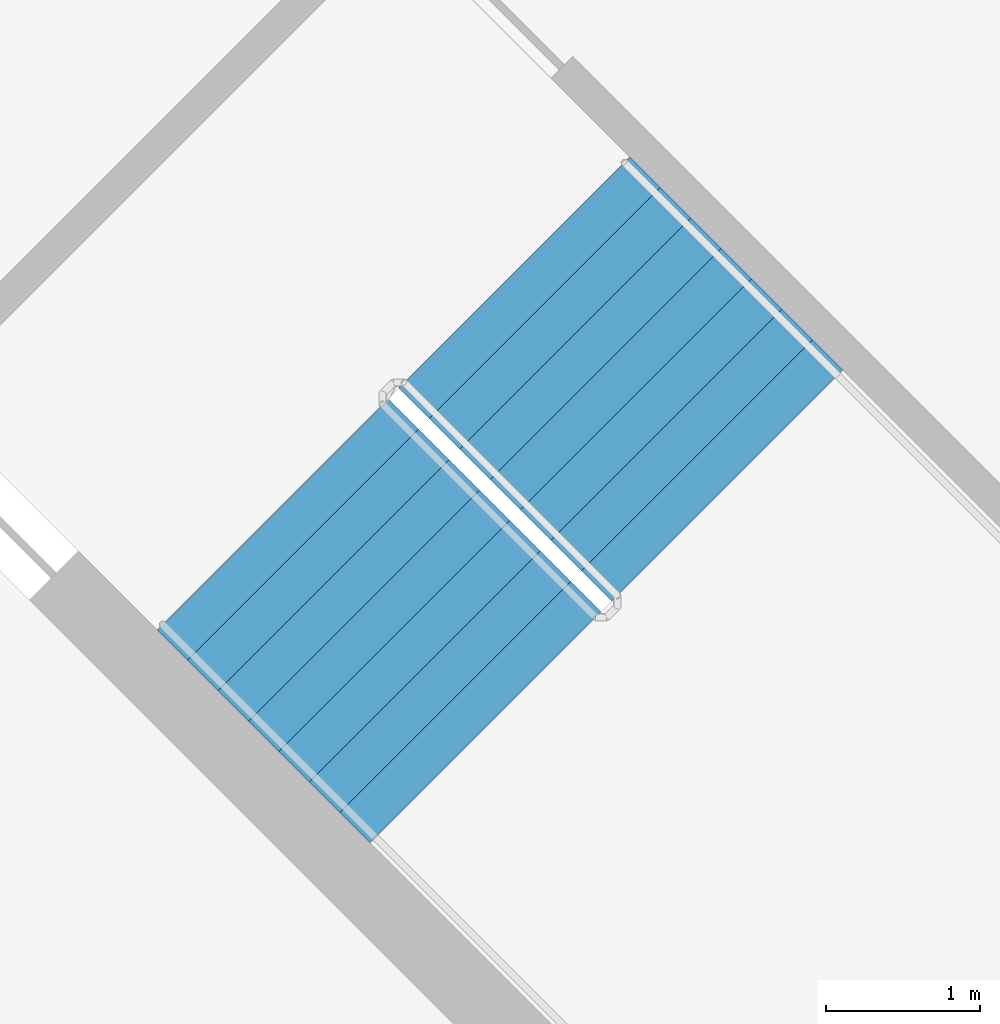
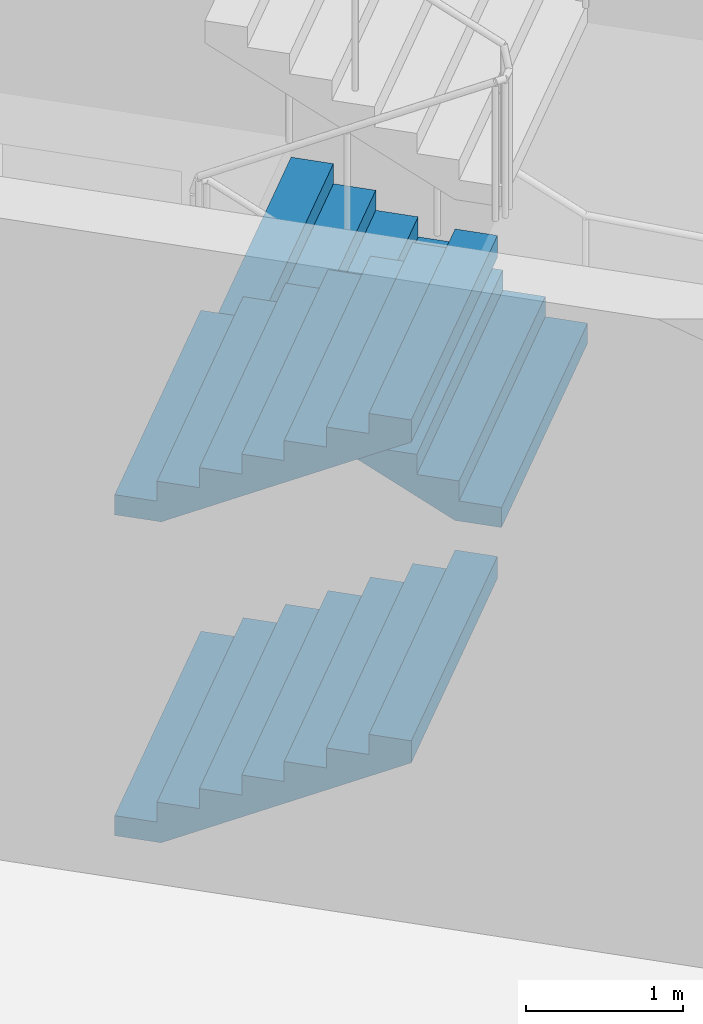
# One storey, part 14 of 19: 3 stair flights, 1 element without a shape of its own.
"""IFC4 building model written with IfcOpenShell, lengths in metres."""

from ifc_helpers import new_model, si_unit, direction, frame, origin, place, context, subcontext, project, spatial, triangles, material, type_object, element, aggregate, save


model = new_model("IFC4")

# Units and contexts
model_context = context("Model", 3, precision=1e-05, world=origin(), true_north=direction((0.0, 1.0)))
body_context = subcontext(model_context, "Body", "Model", "MODEL_VIEW")
ifc_project = project(units=[si_unit("LENGTHUNIT", "METRE"), si_unit("AREAUNIT", "SQUARE_METRE"), si_unit("VOLUMEUNIT", "CUBIC_METRE"), si_unit("PLANEANGLEUNIT", "RADIAN"), si_unit("MASSUNIT", "GRAM", prefix="KILO")], contexts=[model_context])

# Site, building, storey
site_placement = place(None, origin())
site = spatial("IfcSite", under=ifc_project, at=site_placement, CompositionType="ELEMENT")
building_placement = place(site_placement, origin())
building = spatial("IfcBuilding", under=site, at=building_placement, Name="Verdalira Terraces Hotel", CompositionType="ELEMENT")
storey_placement = place(building_placement, frame((0.0, 0.0, 310.0)))
storey = spatial("IfcBuildingStorey", under=building, at=storey_placement, Name="L77", CompositionType="ELEMENT", Elevation=310.0)

# Stair, stair flights
ifc_material_1 = material(Name="Concrete C40", Category="concrete")
stair_type = type_object("IfcStairType", Name="Core stair 32 risers 2125 mm wide", PredefinedType="HALF_TURN_STAIR", material=ifc_material_1)
stair_placement = place(storey_placement, origin())
stair = element("IfcStair", 1, at=stair_placement, inside=storey, type_object=stair_type, Name="L77 Exit stair ST2", PredefinedType="HALF_TURN_STAIR")
ifc_material_2 = material(Name="Concrete C40", Category="concrete")
stair_flight_type = type_object("IfcStairFlightType", Name="Core stair flight 32 risers 2125 mm wide", PredefinedType="STRAIGHT", material=ifc_material_2)
stair_flight_1_placement = place(storey_placement, frame((-10.085205, -7.574951, 0.0), z_axis=(0.0, 0.0, 1.0), x_axis=(0.707106781, -0.707106781, 0.0)))
stair_flight_1 = element("IfcStairFlight", 2, at=stair_flight_1_placement, type_object=stair_flight_type, Name="ST2 flight 1", NumberOfRisers=8, NumberOfTreads=7, PredefinedType="STRAIGHT", RiserHeight=0.15625, TreadLength=0.28, context=body_context, shape_type="Tessellation", body=[
    triangles([(0.0, 1.0625, 0.0), (0.307617, 1.0625, 0.0), (1.959961, 1.0625, 0.922119), (0.0, -1.0625, 0.0), (0.307617, -1.0625, 0.0), (1.959961, -1.0625, 0.922119), (1.959961, 1.0625, 1.09375), (1.679932, 1.0625, 1.09375), (1.959961, -1.0625, 1.09375), (1.679932, -1.0625, 1.09375), (1.679932, 1.0625, 0.9375), (1.679932, -1.0625, 0.9375), (1.399902, 1.0625, 0.9375), (1.399902, -1.0625, 0.9375), (1.399902, 1.0625, 0.78125), (1.399902, -1.0625, 0.78125), (1.120117, 1.0625, 0.78125), (1.120117, 1.0625, 0.625), (1.120117, -1.0625, 0.78125), (1.120117, -1.0625, 0.625), (0.840088, 1.0625, 0.625), (0.840088, 1.0625, 0.46875), (0.840088, -1.0625, 0.625), (0.840088, -1.0625, 0.46875), (0.560059, 1.0625, 0.46875), (0.560059, 1.0625, 0.3125), (0.560059, -1.0625, 0.46875), (0.560059, -1.0625, 0.3125), (0.280029, 1.0625, 0.3125), (0.280029, 1.0625, 0.15625), (0.280029, -1.0625, 0.3125), (0.280029, -1.0625, 0.15625), (0.0, 1.0625, 0.15625), (0.0, -1.0625, 0.15625), (0.0, -0.996094, 0.0), (0.0, -0.996094, 0.15625), (0.0, -0.929688, 0.0), (0.0, -0.929688, 0.15625), (0.0, -0.863281, 0.0), (0.0, -0.863281, 0.15625), (0.0, -0.796875, 0.0), (0.0, -0.796875, 0.15625), (0.0, -0.730469, 0.0), (0.0, -0.730469, 0.15625), (0.0, -0.664062, 0.0), (0.0, -0.664062, 0.15625), (0.0, -0.597656, 0.0), (0.0, -0.597656, 0.15625), (0.0, -0.53125, 0.0), (0.0, -0.53125, 0.15625), (0.0, -0.464844, 0.0), (0.0, -0.464844, 0.15625), (0.0, -0.398438, 0.0), (0.0, -0.398438, 0.15625), (0.0, -0.332031, 0.0), (0.0, -0.332031, 0.15625), (0.0, -0.265625, 0.0), (0.0, -0.265625, 0.15625), (0.0, -0.199219, 0.0), (0.0, -0.199219, 0.15625), (0.0, -0.132812, 0.0), (0.0, -0.132812, 0.15625), (0.0, -0.066406, 0.0), (0.0, -0.066406, 0.15625), (0.0, 0.0, 0.0), (0.0, 0.0, 0.15625), (0.0, 0.066406, 0.0), (0.0, 0.066406, 0.15625), (0.0, 0.132812, 0.0), (0.0, 0.132812, 0.15625), (0.0, 0.199219, 0.0), (0.0, 0.199219, 0.15625), (0.0, 0.265625, 0.0), (0.0, 0.265625, 0.15625), (0.0, 0.332031, 0.0), (0.0, 0.332031, 0.15625), (0.0, 0.398438, 0.0), (0.0, 0.398438, 0.15625), (0.0, 0.464844, 0.0), (0.0, 0.464844, 0.15625), (0.0, 0.53125, 0.0), (0.0, 0.53125, 0.15625), (0.0, 0.597656, 0.0), (0.0, 0.597656, 0.15625), (0.0, 0.664062, 0.0), (0.0, 0.664062, 0.15625), (0.0, 0.730469, 0.0), (0.0, 0.730469, 0.15625), (0.0, 0.796875, 0.0), (0.0, 0.796875, 0.15625), (0.0, 0.863281, 0.0), (0.0, 0.863281, 0.15625), (0.0, 0.929688, 0.0), (0.0, 0.929688, 0.15625), (0.0, 0.996094, 0.0), (0.0, 0.996094, 0.15625), (1.959961, -0.996094, 1.09375), (1.959961, -0.929688, 1.09375), (1.959961, -0.863281, 1.09375), (1.959961, -0.796875, 1.09375), (1.959961, -0.730469, 1.09375), (1.959961, -0.664062, 1.09375), (1.959961, -0.597656, 1.09375), (1.959961, -0.53125, 1.09375), (1.959961, -0.464844, 1.09375), (1.959961, -0.398438, 1.09375), (1.959961, -0.332031, 1.09375), (1.959961, -0.265625, 1.09375), (1.959961, -0.199219, 1.09375), (1.959961, -0.132812, 1.09375), (1.959961, -0.066406, 1.09375), (1.959961, 0.0, 1.09375), (1.959961, 0.066406, 1.09375), (1.959961, 0.132812, 1.09375), (1.959961, 0.199219, 1.09375), (1.959961, 0.265625, 1.09375), (1.959961, 0.332031, 1.09375), (1.959961, 0.398438, 1.09375), (1.959961, 0.464844, 1.09375), (1.959961, 0.53125, 1.09375), (1.959961, 0.597656, 1.09375), (1.959961, 0.664062, 1.09375), (1.959961, 0.730469, 1.09375), (1.959961, 0.796875, 1.09375), (1.959961, 0.863281, 1.09375), (1.959961, 0.929688, 1.09375), (1.959961, 0.996094, 1.09375), (1.959961, -0.996094, 0.922119), (1.959961, -0.929688, 0.922119), (1.959961, -0.863281, 0.922119), (1.959961, -0.796875, 0.922119), (1.959961, -0.730469, 0.922119), (1.959961, -0.664062, 0.922119), (1.959961, -0.597656, 0.922119), (1.959961, -0.53125, 0.922119), (1.959961, -0.464844, 0.922119), (1.959961, -0.398438, 0.922119), (1.959961, -0.332031, 0.922119), (1.959961, -0.265625, 0.922119), (1.959961, -0.199219, 0.922119), (1.959961, -0.132812, 0.922119), (1.959961, -0.066406, 0.922119), (1.959961, 0.0, 0.922119), (1.959961, 0.066406, 0.922119), (1.959961, 0.132812, 0.922119), (1.959961, 0.199219, 0.922119), (1.959961, 0.265625, 0.922119), (1.959961, 0.332031, 0.922119), (1.959961, 0.398438, 0.922119), (1.959961, 0.464844, 0.922119), (1.959961, 0.53125, 0.922119), (1.959961, 0.597656, 0.922119), (1.959961, 0.664062, 0.922119), (1.959961, 0.730469, 0.922119), (1.959961, 0.796875, 0.922119), (1.959961, 0.863281, 0.922119), (1.959961, 0.929688, 0.922119), (1.959961, 0.996094, 0.922119)], [[1, 3, 2], [4, 5, 6], [3, 8, 7], [6, 9, 10], [3, 11, 8], [6, 10, 12], [3, 13, 11], [6, 12, 14], [3, 15, 13], [6, 14, 16], [15, 18, 17], [16, 19, 20], [3, 18, 15], [6, 16, 20], [18, 22, 21], [20, 23, 24], [3, 22, 18], [6, 20, 24], [22, 26, 25], [24, 27, 28], [3, 26, 22], [6, 24, 28], [26, 30, 29], [28, 31, 32], [3, 30, 26], [6, 28, 32], [1, 30, 3], [4, 6, 32], [30, 1, 33], [32, 34, 4], [4, 36, 35], [4, 34, 36], [35, 38, 37], [35, 36, 38], [37, 40, 39], [37, 38, 40], [39, 42, 41], [39, 40, 42], [41, 44, 43], [41, 42, 44], [43, 46, 45], [43, 44, 46], [45, 48, 47], [45, 46, 48], [47, 50, 49], [47, 48, 50], [49, 52, 51], [49, 50, 52], [51, 54, 53], [51, 52, 54], [53, 56, 55], [53, 54, 56], [55, 58, 57], [55, 56, 58], [57, 60, 59], [57, 58, 60], [59, 62, 61], [59, 60, 62], [61, 64, 63], [61, 62, 64], [63, 66, 65], [63, 64, 66], [65, 68, 67], [65, 66, 68], [67, 70, 69], [67, 68, 70], [69, 72, 71], [69, 70, 72], [71, 74, 73], [71, 72, 74], [73, 76, 75], [73, 74, 76], [75, 78, 77], [75, 76, 78], [77, 80, 79], [77, 78, 80], [79, 82, 81], [79, 80, 82], [81, 84, 83], [81, 82, 84], [83, 86, 85], [83, 84, 86], [85, 88, 87], [85, 86, 88], [87, 90, 89], [87, 88, 90], [89, 92, 91], [89, 90, 92], [91, 94, 93], [91, 92, 94], [93, 96, 95], [93, 94, 96], [95, 33, 1], [95, 96, 33], [34, 32, 36], [36, 32, 38], [38, 32, 40], [40, 32, 42], [42, 32, 44], [44, 32, 46], [46, 32, 48], [48, 32, 50], [50, 32, 52], [52, 32, 54], [54, 32, 56], [56, 32, 58], [58, 32, 60], [60, 32, 62], [62, 32, 64], [64, 32, 66], [66, 32, 68], [68, 32, 70], [70, 32, 72], [72, 32, 74], [74, 32, 76], [76, 32, 78], [78, 32, 80], [80, 32, 82], [82, 32, 84], [84, 32, 86], [86, 32, 88], [88, 32, 90], [90, 32, 92], [92, 32, 94], [94, 32, 96], [96, 32, 33], [33, 32, 30], [32, 29, 30], [32, 31, 29], [31, 26, 29], [31, 28, 26], [28, 25, 26], [28, 27, 25], [27, 22, 25], [27, 24, 22], [24, 21, 22], [24, 23, 21], [23, 18, 21], [23, 20, 18], [20, 17, 18], [20, 19, 17], [19, 15, 17], [19, 16, 15], [16, 13, 15], [16, 14, 13], [14, 11, 13], [14, 12, 11], [12, 8, 11], [12, 10, 8], [9, 97, 10], [97, 98, 10], [98, 99, 10], [99, 100, 10], [100, 101, 10], [101, 102, 10], [102, 103, 10], [103, 104, 10], [104, 105, 10], [105, 106, 10], [106, 107, 10], [107, 108, 10], [108, 109, 10], [109, 110, 10], [110, 111, 10], [111, 112, 10], [112, 113, 10], [113, 114, 10], [114, 115, 10], [115, 116, 10], [116, 117, 10], [117, 118, 10], [118, 119, 10], [119, 120, 10], [120, 121, 10], [121, 122, 10], [122, 123, 10], [123, 124, 10], [124, 125, 10], [125, 126, 10], [126, 127, 10], [127, 7, 10], [7, 8, 10], [9, 128, 97], [9, 6, 128], [97, 129, 98], [97, 128, 129], [98, 130, 99], [98, 129, 130], [99, 131, 100], [99, 130, 131], [100, 132, 101], [100, 131, 132], [101, 133, 102], [101, 132, 133], [102, 134, 103], [102, 133, 134], [103, 135, 104], [103, 134, 135], [104, 136, 105], [104, 135, 136], [105, 137, 106], [105, 136, 137], [106, 138, 107], [106, 137, 138], [107, 139, 108], [107, 138, 139], [108, 140, 109], [108, 139, 140], [109, 141, 110], [109, 140, 141], [110, 142, 111], [110, 141, 142], [111, 143, 112], [111, 142, 143], [112, 144, 113], [112, 143, 144], [113, 145, 114], [113, 144, 145], [114, 146, 115], [114, 145, 146], [115, 147, 116], [115, 146, 147], [116, 148, 117], [116, 147, 148], [117, 149, 118], [117, 148, 149], [118, 150, 119], [118, 149, 150], [119, 151, 120], [119, 150, 151], [120, 152, 121], [120, 151, 152], [121, 153, 122], [121, 152, 153], [122, 154, 123], [122, 153, 154], [123, 155, 124], [123, 154, 155], [124, 156, 125], [124, 155, 156], [125, 157, 126], [125, 156, 157], [126, 158, 127], [126, 157, 158], [127, 3, 7], [127, 158, 3], [6, 5, 128], [128, 5, 129], [129, 5, 130], [130, 5, 131], [131, 5, 132], [132, 5, 133], [133, 5, 134], [134, 5, 135], [135, 5, 136], [136, 5, 137], [137, 5, 138], [138, 5, 139], [139, 5, 140], [140, 5, 141], [141, 5, 142], [142, 5, 143], [143, 5, 144], [144, 5, 145], [145, 5, 146], [146, 5, 147], [147, 5, 148], [148, 5, 149], [149, 5, 150], [150, 5, 151], [151, 5, 152], [152, 5, 153], [153, 5, 154], [154, 5, 155], [155, 5, 156], [156, 5, 157], [157, 5, 158], [158, 5, 3], [3, 5, 2], [4, 35, 5], [35, 37, 5], [37, 39, 5], [39, 41, 5], [41, 43, 5], [43, 45, 5], [45, 47, 5], [47, 49, 5], [49, 51, 5], [51, 53, 5], [53, 55, 5], [55, 57, 5], [57, 59, 5], [59, 61, 5], [61, 63, 5], [63, 65, 5], [65, 67, 5], [67, 69, 5], [69, 71, 5], [71, 73, 5], [73, 75, 5], [75, 77, 5], [77, 79, 5], [79, 81, 5], [81, 83, 5], [83, 85, 5], [85, 87, 5], [87, 89, 5], [89, 91, 5], [91, 93, 5], [93, 95, 5], [95, 1, 5], [1, 2, 5]], closed=True),
])
stair_flight_2_placement = place(storey_placement, frame((-7.125977, -7.387451, 1.25), z_axis=(0.0, 0.0, 1.0), x_axis=(-0.707106781, 0.707106781, 0.0)))
stair_flight_2 = element("IfcStairFlight", 3, at=stair_flight_2_placement, type_object=stair_flight_type, Name="ST2 flight 2", NumberOfRisers=8, NumberOfTreads=7, PredefinedType="STRAIGHT", RiserHeight=0.15625, TreadLength=0.28, context=body_context, shape_type="Tessellation", body=[
    triangles([(0.0, 1.0625, 0.0), (0.307617, 1.0625, 0.0), (1.959961, 1.0625, 0.922119), (0.0, -1.0625, 0.0), (0.307617, -1.0625, 0.0), (1.959961, -1.0625, 0.922119), (1.959961, 1.0625, 1.09375), (1.679932, 1.0625, 1.09375), (1.959961, -1.0625, 1.09375), (1.679932, -1.0625, 1.09375), (1.679932, 1.0625, 0.9375), (1.679932, -1.0625, 0.9375), (1.399902, 1.0625, 0.9375), (1.399902, -1.0625, 0.9375), (1.399902, 1.0625, 0.78125), (1.399902, -1.0625, 0.78125), (1.120117, 1.0625, 0.78125), (1.120117, 1.0625, 0.625), (1.120117, -1.0625, 0.78125), (1.120117, -1.0625, 0.625), (0.840088, 1.0625, 0.625), (0.840088, 1.0625, 0.46875), (0.840088, -1.0625, 0.625), (0.840088, -1.0625, 0.46875), (0.560059, 1.0625, 0.46875), (0.560059, 1.0625, 0.3125), (0.560059, -1.0625, 0.46875), (0.560059, -1.0625, 0.3125), (0.280029, 1.0625, 0.3125), (0.280029, 1.0625, 0.15625), (0.280029, -1.0625, 0.3125), (0.280029, -1.0625, 0.15625), (0.0, 1.0625, 0.15625), (0.0, -1.0625, 0.15625), (0.0, -0.996094, 0.0), (0.0, -0.996094, 0.15625), (0.0, -0.929688, 0.0), (0.0, -0.929688, 0.15625), (0.0, -0.863281, 0.0), (0.0, -0.863281, 0.15625), (0.0, -0.796875, 0.0), (0.0, -0.796875, 0.15625), (0.0, -0.730469, 0.0), (0.0, -0.730469, 0.15625), (0.0, -0.664062, 0.0), (0.0, -0.664062, 0.15625), (0.0, -0.597656, 0.0), (0.0, -0.597656, 0.15625), (0.0, -0.53125, 0.0), (0.0, -0.53125, 0.15625), (0.0, -0.464844, 0.0), (0.0, -0.464844, 0.15625), (0.0, -0.398438, 0.0), (0.0, -0.398438, 0.15625), (0.0, -0.332031, 0.0), (0.0, -0.332031, 0.15625), (0.0, -0.265625, 0.0), (0.0, -0.265625, 0.15625), (0.0, -0.199219, 0.0), (0.0, -0.199219, 0.15625), (0.0, -0.132812, 0.0), (0.0, -0.132812, 0.15625), (0.0, -0.066406, 0.0), (0.0, -0.066406, 0.15625), (0.0, 0.0, 0.0), (0.0, 0.0, 0.15625), (0.0, 0.066406, 0.0), (0.0, 0.066406, 0.15625), (0.0, 0.132812, 0.0), (0.0, 0.132812, 0.15625), (0.0, 0.199219, 0.0), (0.0, 0.199219, 0.15625), (0.0, 0.265625, 0.0), (0.0, 0.265625, 0.15625), (0.0, 0.332031, 0.0), (0.0, 0.332031, 0.15625), (0.0, 0.398438, 0.0), (0.0, 0.398438, 0.15625), (0.0, 0.464844, 0.0), (0.0, 0.464844, 0.15625), (0.0, 0.53125, 0.0), (0.0, 0.53125, 0.15625), (0.0, 0.597656, 0.0), (0.0, 0.597656, 0.15625), (0.0, 0.664062, 0.0), (0.0, 0.664062, 0.15625), (0.0, 0.730469, 0.0), (0.0, 0.730469, 0.15625), (0.0, 0.796875, 0.0), (0.0, 0.796875, 0.15625), (0.0, 0.863281, 0.0), (0.0, 0.863281, 0.15625), (0.0, 0.929688, 0.0), (0.0, 0.929688, 0.15625), (0.0, 0.996094, 0.0), (0.0, 0.996094, 0.15625), (1.959961, -0.996094, 1.09375), (1.959961, -0.929688, 1.09375), (1.959961, -0.863281, 1.09375), (1.959961, -0.796875, 1.09375), (1.959961, -0.730469, 1.09375), (1.959961, -0.664062, 1.09375), (1.959961, -0.597656, 1.09375), (1.959961, -0.53125, 1.09375), (1.959961, -0.464844, 1.09375), (1.959961, -0.398438, 1.09375), (1.959961, -0.332031, 1.09375), (1.959961, -0.265625, 1.09375), (1.959961, -0.199219, 1.09375), (1.959961, -0.132812, 1.09375), (1.959961, -0.066406, 1.09375), (1.959961, 0.0, 1.09375), (1.959961, 0.066406, 1.09375), (1.959961, 0.132812, 1.09375), (1.959961, 0.199219, 1.09375), (1.959961, 0.265625, 1.09375), (1.959961, 0.332031, 1.09375), (1.959961, 0.398438, 1.09375), (1.959961, 0.464844, 1.09375), (1.959961, 0.53125, 1.09375), (1.959961, 0.597656, 1.09375), (1.959961, 0.664062, 1.09375), (1.959961, 0.730469, 1.09375), (1.959961, 0.796875, 1.09375), (1.959961, 0.863281, 1.09375), (1.959961, 0.929688, 1.09375), (1.959961, 0.996094, 1.09375), (1.959961, -0.996094, 0.922119), (1.959961, -0.929688, 0.922119), (1.959961, -0.863281, 0.922119), (1.959961, -0.796875, 0.922119), (1.959961, -0.730469, 0.922119), (1.959961, -0.664062, 0.922119), (1.959961, -0.597656, 0.922119), (1.959961, -0.53125, 0.922119), (1.959961, -0.464844, 0.922119), (1.959961, -0.398438, 0.922119), (1.959961, -0.332031, 0.922119), (1.959961, -0.265625, 0.922119), (1.959961, -0.199219, 0.922119), (1.959961, -0.132812, 0.922119), (1.959961, -0.066406, 0.922119), (1.959961, 0.0, 0.922119), (1.959961, 0.066406, 0.922119), (1.959961, 0.132812, 0.922119), (1.959961, 0.199219, 0.922119), (1.959961, 0.265625, 0.922119), (1.959961, 0.332031, 0.922119), (1.959961, 0.398438, 0.922119), (1.959961, 0.464844, 0.922119), (1.959961, 0.53125, 0.922119), (1.959961, 0.597656, 0.922119), (1.959961, 0.664062, 0.922119), (1.959961, 0.730469, 0.922119), (1.959961, 0.796875, 0.922119), (1.959961, 0.863281, 0.922119), (1.959961, 0.929688, 0.922119), (1.959961, 0.996094, 0.922119)], [[1, 3, 2], [4, 5, 6], [3, 8, 7], [6, 9, 10], [3, 11, 8], [6, 10, 12], [3, 13, 11], [6, 12, 14], [3, 15, 13], [6, 14, 16], [15, 18, 17], [16, 19, 20], [3, 18, 15], [6, 16, 20], [18, 22, 21], [20, 23, 24], [3, 22, 18], [6, 20, 24], [22, 26, 25], [24, 27, 28], [3, 26, 22], [6, 24, 28], [26, 30, 29], [28, 31, 32], [3, 30, 26], [6, 28, 32], [1, 30, 3], [4, 6, 32], [30, 1, 33], [32, 34, 4], [4, 36, 35], [4, 34, 36], [35, 38, 37], [35, 36, 38], [37, 40, 39], [37, 38, 40], [39, 42, 41], [39, 40, 42], [41, 44, 43], [41, 42, 44], [43, 46, 45], [43, 44, 46], [45, 48, 47], [45, 46, 48], [47, 50, 49], [47, 48, 50], [49, 52, 51], [49, 50, 52], [51, 54, 53], [51, 52, 54], [53, 56, 55], [53, 54, 56], [55, 58, 57], [55, 56, 58], [57, 60, 59], [57, 58, 60], [59, 62, 61], [59, 60, 62], [61, 64, 63], [61, 62, 64], [63, 66, 65], [63, 64, 66], [65, 68, 67], [65, 66, 68], [67, 70, 69], [67, 68, 70], [69, 72, 71], [69, 70, 72], [71, 74, 73], [71, 72, 74], [73, 76, 75], [73, 74, 76], [75, 78, 77], [75, 76, 78], [77, 80, 79], [77, 78, 80], [79, 82, 81], [79, 80, 82], [81, 84, 83], [81, 82, 84], [83, 86, 85], [83, 84, 86], [85, 88, 87], [85, 86, 88], [87, 90, 89], [87, 88, 90], [89, 92, 91], [89, 90, 92], [91, 94, 93], [91, 92, 94], [93, 96, 95], [93, 94, 96], [95, 33, 1], [95, 96, 33], [34, 32, 36], [36, 32, 38], [38, 32, 40], [40, 32, 42], [42, 32, 44], [44, 32, 46], [46, 32, 48], [48, 32, 50], [50, 32, 52], [52, 32, 54], [54, 32, 56], [56, 32, 58], [58, 32, 60], [60, 32, 62], [62, 32, 64], [64, 32, 66], [66, 32, 68], [68, 32, 70], [70, 32, 72], [72, 32, 74], [74, 32, 76], [76, 32, 78], [78, 32, 80], [80, 32, 82], [82, 32, 84], [84, 32, 86], [86, 32, 88], [88, 32, 90], [90, 32, 92], [92, 32, 94], [94, 32, 96], [96, 32, 33], [33, 32, 30], [32, 29, 30], [32, 31, 29], [31, 26, 29], [31, 28, 26], [28, 25, 26], [28, 27, 25], [27, 22, 25], [27, 24, 22], [24, 21, 22], [24, 23, 21], [23, 18, 21], [23, 20, 18], [20, 17, 18], [20, 19, 17], [19, 15, 17], [19, 16, 15], [16, 13, 15], [16, 14, 13], [14, 11, 13], [14, 12, 11], [12, 8, 11], [12, 10, 8], [9, 97, 10], [97, 98, 10], [98, 99, 10], [99, 100, 10], [100, 101, 10], [101, 102, 10], [102, 103, 10], [103, 104, 10], [104, 105, 10], [105, 106, 10], [106, 107, 10], [107, 108, 10], [108, 109, 10], [109, 110, 10], [110, 111, 10], [111, 112, 10], [112, 113, 10], [113, 114, 10], [114, 115, 10], [115, 116, 10], [116, 117, 10], [117, 118, 10], [118, 119, 10], [119, 120, 10], [120, 121, 10], [121, 122, 10], [122, 123, 10], [123, 124, 10], [124, 125, 10], [125, 126, 10], [126, 127, 10], [127, 7, 10], [7, 8, 10], [9, 128, 97], [9, 6, 128], [97, 129, 98], [97, 128, 129], [98, 130, 99], [98, 129, 130], [99, 131, 100], [99, 130, 131], [100, 132, 101], [100, 131, 132], [101, 133, 102], [101, 132, 133], [102, 134, 103], [102, 133, 134], [103, 135, 104], [103, 134, 135], [104, 136, 105], [104, 135, 136], [105, 137, 106], [105, 136, 137], [106, 138, 107], [106, 137, 138], [107, 139, 108], [107, 138, 139], [108, 140, 109], [108, 139, 140], [109, 141, 110], [109, 140, 141], [110, 142, 111], [110, 141, 142], [111, 143, 112], [111, 142, 143], [112, 144, 113], [112, 143, 144], [113, 145, 114], [113, 144, 145], [114, 146, 115], [114, 145, 146], [115, 147, 116], [115, 146, 147], [116, 148, 117], [116, 147, 148], [117, 149, 118], [117, 148, 149], [118, 150, 119], [118, 149, 150], [119, 151, 120], [119, 150, 151], [120, 152, 121], [120, 151, 152], [121, 153, 122], [121, 152, 153], [122, 154, 123], [122, 153, 154], [123, 155, 124], [123, 154, 155], [124, 156, 125], [124, 155, 156], [125, 157, 126], [125, 156, 157], [126, 158, 127], [126, 157, 158], [127, 3, 7], [127, 158, 3], [6, 5, 128], [128, 5, 129], [129, 5, 130], [130, 5, 131], [131, 5, 132], [132, 5, 133], [133, 5, 134], [134, 5, 135], [135, 5, 136], [136, 5, 137], [137, 5, 138], [138, 5, 139], [139, 5, 140], [140, 5, 141], [141, 5, 142], [142, 5, 143], [143, 5, 144], [144, 5, 145], [145, 5, 146], [146, 5, 147], [147, 5, 148], [148, 5, 149], [149, 5, 150], [150, 5, 151], [151, 5, 152], [152, 5, 153], [153, 5, 154], [154, 5, 155], [155, 5, 156], [156, 5, 157], [157, 5, 158], [158, 5, 3], [3, 5, 2], [4, 35, 5], [35, 37, 5], [37, 39, 5], [39, 41, 5], [41, 43, 5], [43, 45, 5], [45, 47, 5], [47, 49, 5], [49, 51, 5], [51, 53, 5], [53, 55, 5], [55, 57, 5], [57, 59, 5], [59, 61, 5], [61, 63, 5], [63, 65, 5], [65, 67, 5], [67, 69, 5], [69, 71, 5], [71, 73, 5], [73, 75, 5], [75, 77, 5], [77, 79, 5], [79, 81, 5], [81, 83, 5], [83, 85, 5], [85, 87, 5], [87, 89, 5], [89, 91, 5], [91, 93, 5], [93, 95, 5], [95, 1, 5], [1, 2, 5]], closed=True),
])
stair_flight_3_placement = place(storey_placement, frame((-10.085205, -7.574951, 2.5), z_axis=(0.0, 0.0, 1.0), x_axis=(0.707106781, -0.707106781, 0.0)))
stair_flight_3 = element("IfcStairFlight", 4, at=stair_flight_3_placement, type_object=stair_flight_type, Name="ST2 flight 3", NumberOfRisers=8, NumberOfTreads=7, PredefinedType="STRAIGHT", RiserHeight=0.15625, TreadLength=0.28, context=body_context, shape_type="Tessellation", body=[
    triangles([(0.0, 1.0625, 0.0), (0.307617, 1.0625, 0.0), (1.959961, 1.0625, 0.922119), (0.0, -1.0625, 0.0), (0.307617, -1.0625, 0.0), (1.959961, -1.0625, 0.922119), (1.959961, 1.0625, 1.09375), (1.679932, 1.0625, 1.09375), (1.959961, -1.0625, 1.09375), (1.679932, -1.0625, 1.09375), (1.679932, 1.0625, 0.9375), (1.679932, -1.0625, 0.9375), (1.399902, 1.0625, 0.9375), (1.399902, -1.0625, 0.9375), (1.399902, 1.0625, 0.78125), (1.399902, -1.0625, 0.78125), (1.120117, 1.0625, 0.78125), (1.120117, 1.0625, 0.625), (1.120117, -1.0625, 0.78125), (1.120117, -1.0625, 0.625), (0.840088, 1.0625, 0.625), (0.840088, 1.0625, 0.46875), (0.840088, -1.0625, 0.625), (0.840088, -1.0625, 0.46875), (0.560059, 1.0625, 0.46875), (0.560059, 1.0625, 0.3125), (0.560059, -1.0625, 0.46875), (0.560059, -1.0625, 0.3125), (0.280029, 1.0625, 0.3125), (0.280029, 1.0625, 0.15625), (0.280029, -1.0625, 0.3125), (0.280029, -1.0625, 0.15625), (0.0, 1.0625, 0.15625), (0.0, -1.0625, 0.15625), (0.0, -0.996094, 0.0), (0.0, -0.996094, 0.15625), (0.0, -0.929688, 0.0), (0.0, -0.929688, 0.15625), (0.0, -0.863281, 0.0), (0.0, -0.863281, 0.15625), (0.0, -0.796875, 0.0), (0.0, -0.796875, 0.15625), (0.0, -0.730469, 0.0), (0.0, -0.730469, 0.15625), (0.0, -0.664062, 0.0), (0.0, -0.664062, 0.15625), (0.0, -0.597656, 0.0), (0.0, -0.597656, 0.15625), (0.0, -0.53125, 0.0), (0.0, -0.53125, 0.15625), (0.0, -0.464844, 0.0), (0.0, -0.464844, 0.15625), (0.0, -0.398438, 0.0), (0.0, -0.398438, 0.15625), (0.0, -0.332031, 0.0), (0.0, -0.332031, 0.15625), (0.0, -0.265625, 0.0), (0.0, -0.265625, 0.15625), (0.0, -0.199219, 0.0), (0.0, -0.199219, 0.15625), (0.0, -0.132812, 0.0), (0.0, -0.132812, 0.15625), (0.0, -0.066406, 0.0), (0.0, -0.066406, 0.15625), (0.0, 0.0, 0.0), (0.0, 0.0, 0.15625), (0.0, 0.066406, 0.0), (0.0, 0.066406, 0.15625), (0.0, 0.132812, 0.0), (0.0, 0.132812, 0.15625), (0.0, 0.199219, 0.0), (0.0, 0.199219, 0.15625), (0.0, 0.265625, 0.0), (0.0, 0.265625, 0.15625), (0.0, 0.332031, 0.0), (0.0, 0.332031, 0.15625), (0.0, 0.398438, 0.0), (0.0, 0.398438, 0.15625), (0.0, 0.464844, 0.0), (0.0, 0.464844, 0.15625), (0.0, 0.53125, 0.0), (0.0, 0.53125, 0.15625), (0.0, 0.597656, 0.0), (0.0, 0.597656, 0.15625), (0.0, 0.664062, 0.0), (0.0, 0.664062, 0.15625), (0.0, 0.730469, 0.0), (0.0, 0.730469, 0.15625), (0.0, 0.796875, 0.0), (0.0, 0.796875, 0.15625), (0.0, 0.863281, 0.0), (0.0, 0.863281, 0.15625), (0.0, 0.929688, 0.0), (0.0, 0.929688, 0.15625), (0.0, 0.996094, 0.0), (0.0, 0.996094, 0.15625), (1.959961, -0.996094, 1.09375), (1.959961, -0.929688, 1.09375), (1.959961, -0.863281, 1.09375), (1.959961, -0.796875, 1.09375), (1.959961, -0.730469, 1.09375), (1.959961, -0.664062, 1.09375), (1.959961, -0.597656, 1.09375), (1.959961, -0.53125, 1.09375), (1.959961, -0.464844, 1.09375), (1.959961, -0.398438, 1.09375), (1.959961, -0.332031, 1.09375), (1.959961, -0.265625, 1.09375), (1.959961, -0.199219, 1.09375), (1.959961, -0.132812, 1.09375), (1.959961, -0.066406, 1.09375), (1.959961, 0.0, 1.09375), (1.959961, 0.066406, 1.09375), (1.959961, 0.132812, 1.09375), (1.959961, 0.199219, 1.09375), (1.959961, 0.265625, 1.09375), (1.959961, 0.332031, 1.09375), (1.959961, 0.398438, 1.09375), (1.959961, 0.464844, 1.09375), (1.959961, 0.53125, 1.09375), (1.959961, 0.597656, 1.09375), (1.959961, 0.664062, 1.09375), (1.959961, 0.730469, 1.09375), (1.959961, 0.796875, 1.09375), (1.959961, 0.863281, 1.09375), (1.959961, 0.929688, 1.09375), (1.959961, 0.996094, 1.09375), (1.959961, -0.996094, 0.922119), (1.959961, -0.929688, 0.922119), (1.959961, -0.863281, 0.922119), (1.959961, -0.796875, 0.922119), (1.959961, -0.730469, 0.922119), (1.959961, -0.664062, 0.922119), (1.959961, -0.597656, 0.922119), (1.959961, -0.53125, 0.922119), (1.959961, -0.464844, 0.922119), (1.959961, -0.398438, 0.922119), (1.959961, -0.332031, 0.922119), (1.959961, -0.265625, 0.922119), (1.959961, -0.199219, 0.922119), (1.959961, -0.132812, 0.922119), (1.959961, -0.066406, 0.922119), (1.959961, 0.0, 0.922119), (1.959961, 0.066406, 0.922119), (1.959961, 0.132812, 0.922119), (1.959961, 0.199219, 0.922119), (1.959961, 0.265625, 0.922119), (1.959961, 0.332031, 0.922119), (1.959961, 0.398438, 0.922119), (1.959961, 0.464844, 0.922119), (1.959961, 0.53125, 0.922119), (1.959961, 0.597656, 0.922119), (1.959961, 0.664062, 0.922119), (1.959961, 0.730469, 0.922119), (1.959961, 0.796875, 0.922119), (1.959961, 0.863281, 0.922119), (1.959961, 0.929688, 0.922119), (1.959961, 0.996094, 0.922119)], [[1, 3, 2], [4, 5, 6], [3, 8, 7], [6, 9, 10], [3, 11, 8], [6, 10, 12], [3, 13, 11], [6, 12, 14], [3, 15, 13], [6, 14, 16], [15, 18, 17], [16, 19, 20], [3, 18, 15], [6, 16, 20], [18, 22, 21], [20, 23, 24], [3, 22, 18], [6, 20, 24], [22, 26, 25], [24, 27, 28], [3, 26, 22], [6, 24, 28], [26, 30, 29], [28, 31, 32], [3, 30, 26], [6, 28, 32], [1, 30, 3], [4, 6, 32], [30, 1, 33], [32, 34, 4], [4, 36, 35], [4, 34, 36], [35, 38, 37], [35, 36, 38], [37, 40, 39], [37, 38, 40], [39, 42, 41], [39, 40, 42], [41, 44, 43], [41, 42, 44], [43, 46, 45], [43, 44, 46], [45, 48, 47], [45, 46, 48], [47, 50, 49], [47, 48, 50], [49, 52, 51], [49, 50, 52], [51, 54, 53], [51, 52, 54], [53, 56, 55], [53, 54, 56], [55, 58, 57], [55, 56, 58], [57, 60, 59], [57, 58, 60], [59, 62, 61], [59, 60, 62], [61, 64, 63], [61, 62, 64], [63, 66, 65], [63, 64, 66], [65, 68, 67], [65, 66, 68], [67, 70, 69], [67, 68, 70], [69, 72, 71], [69, 70, 72], [71, 74, 73], [71, 72, 74], [73, 76, 75], [73, 74, 76], [75, 78, 77], [75, 76, 78], [77, 80, 79], [77, 78, 80], [79, 82, 81], [79, 80, 82], [81, 84, 83], [81, 82, 84], [83, 86, 85], [83, 84, 86], [85, 88, 87], [85, 86, 88], [87, 90, 89], [87, 88, 90], [89, 92, 91], [89, 90, 92], [91, 94, 93], [91, 92, 94], [93, 96, 95], [93, 94, 96], [95, 33, 1], [95, 96, 33], [34, 32, 36], [36, 32, 38], [38, 32, 40], [40, 32, 42], [42, 32, 44], [44, 32, 46], [46, 32, 48], [48, 32, 50], [50, 32, 52], [52, 32, 54], [54, 32, 56], [56, 32, 58], [58, 32, 60], [60, 32, 62], [62, 32, 64], [64, 32, 66], [66, 32, 68], [68, 32, 70], [70, 32, 72], [72, 32, 74], [74, 32, 76], [76, 32, 78], [78, 32, 80], [80, 32, 82], [82, 32, 84], [84, 32, 86], [86, 32, 88], [88, 32, 90], [90, 32, 92], [92, 32, 94], [94, 32, 96], [96, 32, 33], [33, 32, 30], [32, 29, 30], [32, 31, 29], [31, 26, 29], [31, 28, 26], [28, 25, 26], [28, 27, 25], [27, 22, 25], [27, 24, 22], [24, 21, 22], [24, 23, 21], [23, 18, 21], [23, 20, 18], [20, 17, 18], [20, 19, 17], [19, 15, 17], [19, 16, 15], [16, 13, 15], [16, 14, 13], [14, 11, 13], [14, 12, 11], [12, 8, 11], [12, 10, 8], [9, 97, 10], [97, 98, 10], [98, 99, 10], [99, 100, 10], [100, 101, 10], [101, 102, 10], [102, 103, 10], [103, 104, 10], [104, 105, 10], [105, 106, 10], [106, 107, 10], [107, 108, 10], [108, 109, 10], [109, 110, 10], [110, 111, 10], [111, 112, 10], [112, 113, 10], [113, 114, 10], [114, 115, 10], [115, 116, 10], [116, 117, 10], [117, 118, 10], [118, 119, 10], [119, 120, 10], [120, 121, 10], [121, 122, 10], [122, 123, 10], [123, 124, 10], [124, 125, 10], [125, 126, 10], [126, 127, 10], [127, 7, 10], [7, 8, 10], [9, 128, 97], [9, 6, 128], [97, 129, 98], [97, 128, 129], [98, 130, 99], [98, 129, 130], [99, 131, 100], [99, 130, 131], [100, 132, 101], [100, 131, 132], [101, 133, 102], [101, 132, 133], [102, 134, 103], [102, 133, 134], [103, 135, 104], [103, 134, 135], [104, 136, 105], [104, 135, 136], [105, 137, 106], [105, 136, 137], [106, 138, 107], [106, 137, 138], [107, 139, 108], [107, 138, 139], [108, 140, 109], [108, 139, 140], [109, 141, 110], [109, 140, 141], [110, 142, 111], [110, 141, 142], [111, 143, 112], [111, 142, 143], [112, 144, 113], [112, 143, 144], [113, 145, 114], [113, 144, 145], [114, 146, 115], [114, 145, 146], [115, 147, 116], [115, 146, 147], [116, 148, 117], [116, 147, 148], [117, 149, 118], [117, 148, 149], [118, 150, 119], [118, 149, 150], [119, 151, 120], [119, 150, 151], [120, 152, 121], [120, 151, 152], [121, 153, 122], [121, 152, 153], [122, 154, 123], [122, 153, 154], [123, 155, 124], [123, 154, 155], [124, 156, 125], [124, 155, 156], [125, 157, 126], [125, 156, 157], [126, 158, 127], [126, 157, 158], [127, 3, 7], [127, 158, 3], [6, 5, 128], [128, 5, 129], [129, 5, 130], [130, 5, 131], [131, 5, 132], [132, 5, 133], [133, 5, 134], [134, 5, 135], [135, 5, 136], [136, 5, 137], [137, 5, 138], [138, 5, 139], [139, 5, 140], [140, 5, 141], [141, 5, 142], [142, 5, 143], [143, 5, 144], [144, 5, 145], [145, 5, 146], [146, 5, 147], [147, 5, 148], [148, 5, 149], [149, 5, 150], [150, 5, 151], [151, 5, 152], [152, 5, 153], [153, 5, 154], [154, 5, 155], [155, 5, 156], [156, 5, 157], [157, 5, 158], [158, 5, 3], [3, 5, 2], [4, 35, 5], [35, 37, 5], [37, 39, 5], [39, 41, 5], [41, 43, 5], [43, 45, 5], [45, 47, 5], [47, 49, 5], [49, 51, 5], [51, 53, 5], [53, 55, 5], [55, 57, 5], [57, 59, 5], [59, 61, 5], [61, 63, 5], [63, 65, 5], [65, 67, 5], [67, 69, 5], [69, 71, 5], [71, 73, 5], [73, 75, 5], [75, 77, 5], [77, 79, 5], [79, 81, 5], [81, 83, 5], [83, 85, 5], [85, 87, 5], [87, 89, 5], [89, 91, 5], [91, 93, 5], [93, 95, 5], [95, 1, 5], [1, 2, 5]], closed=True),
])
aggregate(stair, [stair_flight_1, stair_flight_2, stair_flight_3])

save(model, "model.ifc")
